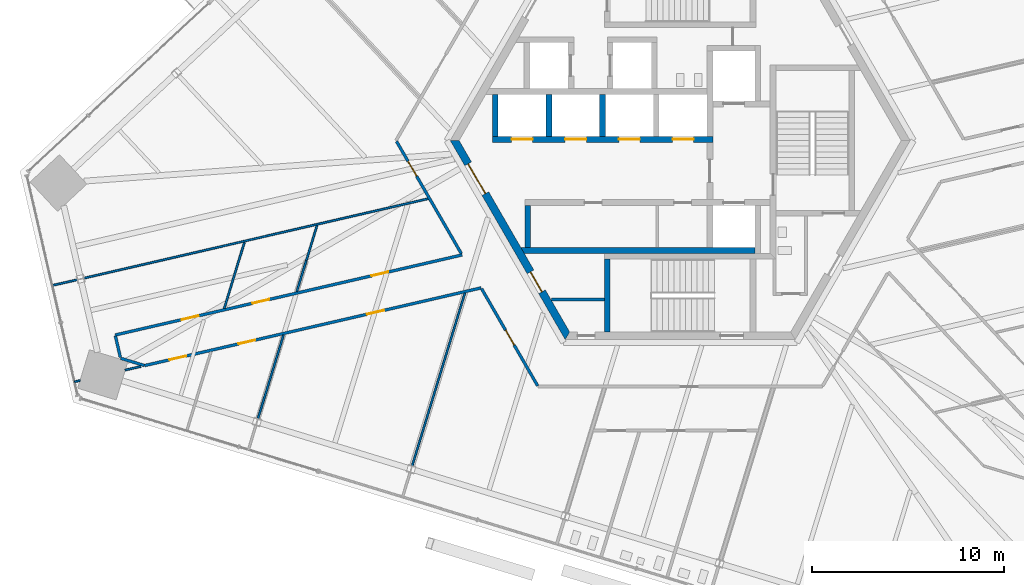
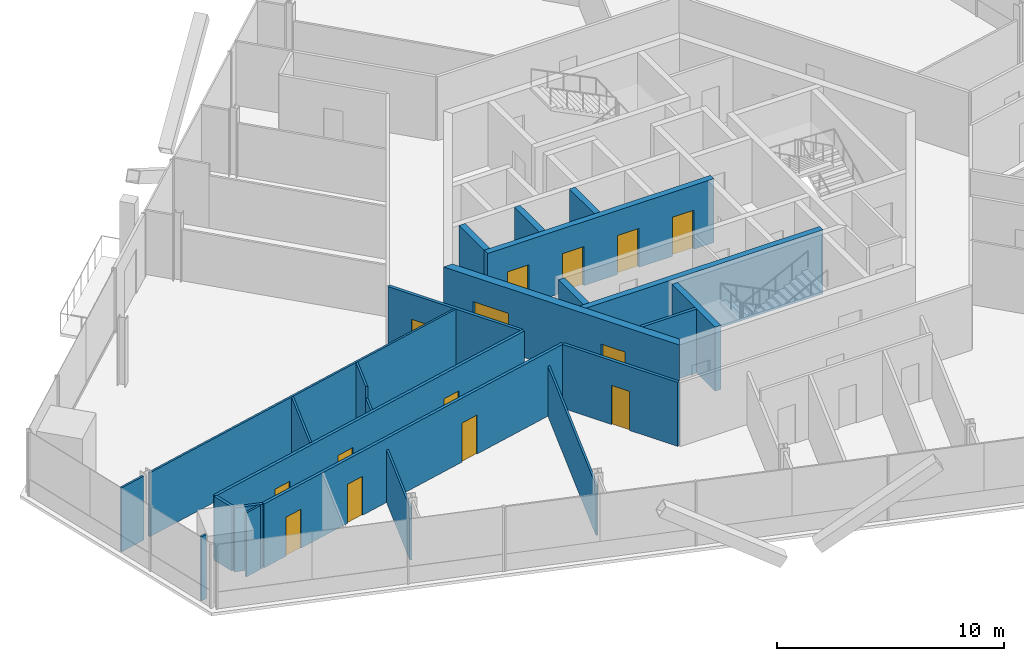
# One storey, part 12 of 20: 24 walls, 14 doors, 14 openings.
"""IFC4 building model written with IfcOpenShell, lengths in metres."""

from ifc_helpers import new_model, si_unit, direction, frame, frame_2d, origin, place, context, subcontext, project, spatial, polyline, rectangle, outline, extrude, source, transform, mapped, material, layer, layer_set, type_object, element, fill, save


model = new_model("IFC4")

# Units and contexts
model_context = context("Model", 3, precision=1e-05, world=origin(), true_north=direction((0.0, 1.0)))
body_context = subcontext(model_context, "Body", "Model", "MODEL_VIEW")
ifc_project = project(units=[si_unit("LENGTHUNIT", "METRE"), si_unit("AREAUNIT", "SQUARE_METRE"), si_unit("VOLUMEUNIT", "CUBIC_METRE"), si_unit("PLANEANGLEUNIT", "RADIAN"), si_unit("MASSUNIT", "GRAM", prefix="KILO")], contexts=[model_context])

# Site, building, storey
site_placement = place(None, origin())
site = spatial("IfcSite", under=ifc_project, at=site_placement, CompositionType="ELEMENT")
building_placement = place(site_placement, origin())
building = spatial("IfcBuilding", under=site, at=building_placement, Name="Triune Harvest Tower", CompositionType="ELEMENT")
storey_placement = place(building_placement, frame((0.0, 0.0, 116.300048828125)))
storey = spatial("IfcBuildingStorey", under=building, at=storey_placement, Name="L29", CompositionType="ELEMENT", Elevation=116.300048828125)

# Wall
ifc_material_1 = material(Name="Gypsum board on steel studs", Category="steel")
ifc_layer_1 = layer(ifc_material_1, 0.10009765625)
ifc_layer_set_1 = layer_set([ifc_layer_1], Name="Gypsum board on steel studs")
wall_type_1 = type_object("IfcWallType", Name="Partition 100 mm", PredefinedType="PARTITIONING", material=ifc_layer_set_1)
wall_1_placement = place(storey_placement, frame((-23.79443359375, -8.756103515625, 0.0), z_axis=(0.0, 0.0, 1.0), x_axis=(0.292413167963, 0.956292078395, 0.0)))
element("IfcWall", 1, at=wall_1_placement, inside=storey, type_object=wall_type_1, Name="Partition L29 063", PredefinedType="PARTITIONING", context=body_context, shape_type="SweptSolid", body=[
    extrude(rectangle(XDim=3.60107421875, YDim=0.10009765625, at=frame_2d((1.800537109375, 0.0))), origin(), (0.0, 0.0, 1.0), 3.43994140625),
])

# Wall, openings, doors
ifc_material_2 = material(Name="Concrete 70 MPa", Category="concrete")
ifc_layer_2 = layer(ifc_material_2, 0.39990234375)
ifc_layer_set_2 = layer_set([ifc_layer_2], Name="Concrete 70 MPa")
wall_type_2 = type_object("IfcWallType", Name="Core wall 400", PredefinedType="SHEAR", material=ifc_layer_set_2)
shared_shape_1 = source(origin(), body_context, "Body", "SweptSolid", [
    extrude(outline(polyline([(-0.115478515625, -0.199951171875), (11.884521484375, -0.199951171875), (11.653564453125, 0.199951171875), (0.115478515625, 0.199951171875), (-0.115478515625, -0.199951171875)])), origin(), (0.0, 0.0, 1.0), 3.43994140625),
])
wall_2_placement = place(storey_placement, frame((-11.76904296875, 0.0, 0.0), z_axis=(0.0, 0.0, 1.0), x_axis=(0.499996592174, -0.866027371285, 0.0)))
wall_2 = element("IfcWall", 2, at=wall_2_placement, inside=storey, type_object=wall_type_2, Name="Hexagon 3 wall", PredefinedType="SHEAR", context=body_context, shape_type="MappedRepresentation", body=[
    mapped(shared_shape_1, transform((0.0, 0.0, 0.0), scale=1.0)),
])
opening_1_placement = place(wall_2_placement, frame((1.404541015625, 0.0, 0.0)))
opening_1 = element("IfcOpeningElement", 3, at=opening_1_placement, cuts=wall_2, Name="Opening CD-LS", PredefinedType="OPENING", context=body_context, shape_type="SweptSolid", body=[
    extrude(rectangle(XDim=1.800048828125, YDim=2.10009765625, at=frame_2d((0.89990234375, 1.050048828125))), frame((0.0, 0.2099609375, 0.0), z_axis=(0.0, -1.0, 0.0), x_axis=(1.0, 0.0, 0.0)), (0.0, 0.0, 1.0), 0.419921875),
])
opening_2_placement = place(wall_2_placement, frame((7.91455078125, 0.0, 0.0)))
opening_2 = element("IfcOpeningElement", 4, at=opening_2_placement, cuts=wall_2, Name="Opening CD-SWP", PredefinedType="OPENING", context=body_context, shape_type="SweptSolid", body=[
    extrude(rectangle(XDim=1.199951171875, YDim=2.10009765625, at=frame_2d((0.60009765625, 1.050048828125))), frame((0.0, 0.2099609375, 0.0), z_axis=(0.0, -1.0, 0.0), x_axis=(1.0, 0.0, 0.0)), (0.0, 0.0, 1.0), 0.419921875),
])
ifc_material_3 = material(Name="Steel S235", Category="steel")
door_type_1 = type_object("IfcDoorType", Name="Lobby door 1800 FD120", OperationType="DOUBLE_DOOR_DOUBLE_SWING", PredefinedType="DOOR", material=ifc_material_3)
door_1_placement = place(opening_1_placement, frame((1.800048828125, 0.0, 0.0), z_axis=(0.0, 0.0, 1.0), x_axis=(-1.0, 0.0, 0.0)))
door_1 = element("IfcDoor", 5, at=door_1_placement, inside=storey, type_object=door_type_1, Name="Door CD-LS", OperationType="DOUBLE_DOOR_DOUBLE_SWING", OverallHeight=2.10009765625, OverallWidth=1.800048828125, PredefinedType="DOOR", context=body_context, shape_type="SweptSolid", body=[
    extrude(rectangle(XDim=1.800048828125, YDim=2.10009765625, at=frame_2d((0.89990234375, 1.050048828125))), frame((0.0, 0.02490234375, 0.0), z_axis=(0.0, -1.0, 0.0), x_axis=(1.0, 0.0, 0.0)), (0.0, 0.0, 1.0), 0.050048828125),
])
fill(opening_1, door_1)
ifc_material_4 = material(Name="Steel S235", Category="steel")
door_type_2 = type_object("IfcDoorType", Name="Service door 1200 FD120", OperationType="SINGLE_SWING_LEFT", PredefinedType="DOOR", material=ifc_material_4)
door_2_placement = place(opening_2_placement, frame((1.199951171875, 0.0, 0.0), z_axis=(0.0, 0.0, 1.0), x_axis=(-1.0, 0.0, 0.0)))
door_2 = element("IfcDoor", 6, at=door_2_placement, inside=storey, type_object=door_type_2, Name="Door CD-SWP", OperationType="SINGLE_SWING_RIGHT", OverallHeight=2.10009765625, OverallWidth=1.199951171875, PredefinedType="DOOR", context=body_context, shape_type="SweptSolid", body=[
    extrude(rectangle(XDim=1.199951171875, YDim=2.10009765625, at=frame_2d((0.60009765625, 1.050048828125))), frame((0.0, 0.02490234375, 0.0), z_axis=(0.0, -1.0, 0.0), x_axis=(1.0, 0.0, 0.0)), (0.0, 0.0, 1.0), 0.050048828125),
])
fill(opening_2, door_2)

ifc_material_5 = material(Name="Concrete 70 MPa", Category="concrete")
ifc_layer_3 = layer(ifc_material_5, 0.300048828125)
ifc_layer_set_3 = layer_set([ifc_layer_3], Name="Concrete 70 MPa")
wall_type_3 = type_object("IfcWallType", Name="Core wall 300", PredefinedType="SHEAR", material=ifc_layer_set_3)
shared_shape_2 = source(origin(), body_context, "Body", "SweptSolid", [
    extrude(rectangle(XDim=11.5, YDim=0.300048828125, at=frame_2d((5.75, 0.0))), origin(), (0.0, 0.0, 1.0), 3.43994140625),
])
wall_3_placement = place(storey_placement, frame((-9.800048828125, 0.06005859375, 0.0), z_axis=(0.0, 0.0, 1.0), x_axis=(1.0, 0.0, 0.0)))
wall_3 = element("IfcWall", 7, at=wall_3_placement, inside=storey, type_object=wall_type_3, Name="North front wall", PredefinedType="SHEAR", context=body_context, shape_type="MappedRepresentation", body=[
    mapped(shared_shape_2, transform((0.0, 0.0, 0.0), scale=1.0)),
])
opening_3_placement = place(wall_3_placement, frame((1.0, 0.0, 0.0)))
opening_3 = element("IfcOpeningElement", 8, at=opening_3_placement, cuts=wall_3, Name="Opening LD-LR1-29", PredefinedType="OPENING", context=body_context, shape_type="SweptSolid", body=[
    extrude(rectangle(XDim=1.10009765625, YDim=2.10009765625, at=frame_2d((0.550048828125, 1.050048828125))), frame((0.0, 0.16015625, 0.0), z_axis=(0.0, -1.0, 0.0), x_axis=(1.0, 0.0, 0.0)), (0.0, 0.0, 1.0), 0.320068359375),
])
opening_4_placement = place(wall_3_placement, frame((3.800048828125, 0.0, 0.0)))
opening_4 = element("IfcOpeningElement", 9, at=opening_4_placement, cuts=wall_3, Name="Opening LD-LR2-29", PredefinedType="OPENING", context=body_context, shape_type="SweptSolid", body=[
    extrude(rectangle(XDim=1.10009765625, YDim=2.10009765625, at=frame_2d((0.550048828125, 1.050048828125))), frame((0.0, 0.16015625, 0.0), z_axis=(0.0, -1.0, 0.0), x_axis=(1.0, 0.0, 0.0)), (0.0, 0.0, 1.0), 0.320068359375),
])
opening_5_placement = place(wall_3_placement, frame((6.60009765625, 0.0, 0.0)))
opening_5 = element("IfcOpeningElement", 10, at=opening_5_placement, cuts=wall_3, Name="Opening LD-LR3-29", PredefinedType="OPENING", context=body_context, shape_type="SweptSolid", body=[
    extrude(rectangle(XDim=1.10009765625, YDim=2.10009765625, at=frame_2d((0.550048828125, 1.050048828125))), frame((0.0, 0.16015625, 0.0), z_axis=(0.0, -1.0, 0.0), x_axis=(1.0, 0.0, 0.0)), (0.0, 0.0, 1.0), 0.320068359375),
])
opening_6_placement = place(wall_3_placement, frame((9.39990234375, 0.0, 0.0)))
opening_6 = element("IfcOpeningElement", 11, at=opening_6_placement, cuts=wall_3, Name="Opening LD-LR4-29", PredefinedType="OPENING", context=body_context, shape_type="SweptSolid", body=[
    extrude(rectangle(XDim=1.10009765625, YDim=2.10009765625, at=frame_2d((0.550048828125, 1.050048828125))), frame((0.0, 0.16015625, 0.0), z_axis=(0.0, -1.0, 0.0), x_axis=(1.0, 0.0, 0.0)), (0.0, 0.0, 1.0), 0.320068359375),
])
ifc_material_6 = material(Name="Stainless steel AISI 304", Category="steel")
door_type_3 = type_object("IfcDoorType", Name="Landing door 1100 x 2100", OperationType="DOUBLE_DOOR_SLIDING", PredefinedType="DOOR", material=ifc_material_6)
door_3_placement = place(opening_3_placement, origin())
door_3 = element("IfcDoor", 12, at=door_3_placement, inside=storey, type_object=door_type_3, Name="Door LD-LR1-29", OperationType="DOUBLE_DOOR_SLIDING", OverallHeight=2.10009765625, OverallWidth=1.10009765625, PredefinedType="DOOR", context=body_context, shape_type="SweptSolid", body=[
    extrude(rectangle(XDim=1.10009765625, YDim=2.10009765625, at=frame_2d((0.550048828125, 1.050048828125))), frame((0.0, 0.02490234375, 0.0), z_axis=(0.0, -1.0, 0.0), x_axis=(1.0, 0.0, 0.0)), (0.0, 0.0, 1.0), 0.050048828125),
])
fill(opening_3, door_3)
door_4_placement = place(opening_4_placement, origin())
door_4 = element("IfcDoor", 13, at=door_4_placement, inside=storey, type_object=door_type_3, Name="Door LD-LR2-29", OperationType="DOUBLE_DOOR_SLIDING", OverallHeight=2.10009765625, OverallWidth=1.10009765625, PredefinedType="DOOR", context=body_context, shape_type="SweptSolid", body=[
    extrude(rectangle(XDim=1.10009765625, YDim=2.10009765625, at=frame_2d((0.550048828125, 1.050048828125))), frame((0.0, 0.02490234375, 0.0), z_axis=(0.0, -1.0, 0.0), x_axis=(1.0, 0.0, 0.0)), (0.0, 0.0, 1.0), 0.050048828125),
])
fill(opening_4, door_4)
door_5_placement = place(opening_5_placement, origin())
door_5 = element("IfcDoor", 14, at=door_5_placement, inside=storey, type_object=door_type_3, Name="Door LD-LR3-29", OperationType="DOUBLE_DOOR_SLIDING", OverallHeight=2.10009765625, OverallWidth=1.10009765625, PredefinedType="DOOR", context=body_context, shape_type="SweptSolid", body=[
    extrude(rectangle(XDim=1.10009765625, YDim=2.10009765625, at=frame_2d((0.550048828125, 1.050048828125))), frame((0.0, 0.02490234375, 0.0), z_axis=(0.0, -1.0, 0.0), x_axis=(1.0, 0.0, 0.0)), (0.0, 0.0, 1.0), 0.050048828125),
])
fill(opening_5, door_5)
door_6_placement = place(opening_6_placement, origin())
door_6 = element("IfcDoor", 15, at=door_6_placement, inside=storey, type_object=door_type_3, Name="Door LD-LR4-29", OperationType="DOUBLE_DOOR_SLIDING", OverallHeight=2.10009765625, OverallWidth=1.10009765625, PredefinedType="DOOR", context=body_context, shape_type="SweptSolid", body=[
    extrude(rectangle(XDim=1.10009765625, YDim=2.10009765625, at=frame_2d((0.550048828125, 1.050048828125))), frame((0.0, 0.02490234375, 0.0), z_axis=(0.0, -1.0, 0.0), x_axis=(1.0, 0.0, 0.0)), (0.0, 0.0, 1.0), 0.050048828125),
])
fill(opening_6, door_6)

# Walls
shared_shape_3 = source(origin(), body_context, "Body", "SweptSolid", [
    extrude(outline(polyline([(12.0, -0.14990234375), (-0.039794921875, -0.14990234375), (-0.212890625, 0.14990234375), (12.0, 0.14990234375), (12.0, -0.14990234375)])), origin(), (0.0, 0.0, 1.0), 3.43994140625),
])
wall_4_placement = place(storey_placement, frame((-8.10009765625, -5.739990234375, 0.0), z_axis=(0.0, 0.0, 1.0), x_axis=(1.0, 0.0, 0.0)))
element("IfcWall", 16, at=wall_4_placement, inside=storey, type_object=wall_type_3, Name="South back wall", PredefinedType="SHEAR", context=body_context, shape_type="MappedRepresentation", body=[
    mapped(shared_shape_3, transform((0.0, 0.0, 0.0), scale=1.0)),
])
shared_shape_4 = source(origin(), body_context, "Body", "SweptSolid", [
    extrude(rectangle(XDim=2.2001953125, YDim=0.300048828125, at=frame_2d((1.10009765625, 0.0))), origin(), (0.0, 0.0, 1.0), 3.43994140625),
])
wall_5_placement = place(storey_placement, frame((-7.949951171875, -5.590087890625, 0.0), z_axis=(0.0, 0.0, 1.0), x_axis=(0.0, 1.0, 0.0)))
element("IfcWall", 17, at=wall_5_placement, inside=storey, type_object=wall_type_3, Name="South end west wall", PredefinedType="SHEAR", context=body_context, shape_type="MappedRepresentation", body=[
    mapped(shared_shape_4, transform((0.0, 0.0, 0.0), scale=1.0)),
])
shared_shape_5 = source(origin(), body_context, "Body", "SweptSolid", [
    extrude(rectangle(XDim=2.199951171875, YDim=0.300048828125, at=frame_2d((1.10009765625, 0.0))), origin(), (0.0, 0.0, 1.0), 3.43994140625),
])
for number, where, z_axis, x_axis, name in (
    (18, (-9.64990234375, 0.2099609375, 0.0), (0.0, 0.0, 1.0), (0.0, 1.0, 0.0), "North end west wall"),
    (19, (-6.85009765625, 0.2099609375, 0.0), (0.0, 0.0, 1.0), (0.0, 1.0, 0.0), "North cross 1 wall"),
    (20, (-4.050048828125, 0.2099609375, 0.0), (0.0, 0.0, 1.0), (0.0, 1.0, 0.0), "North cross 2 wall"),
):
    element("IfcWall", number, at=place(storey_placement, frame(where, z_axis=z_axis, x_axis=x_axis)), inside=storey, type_object=wall_type_3, Name=name, PredefinedType="SHEAR", context=body_context, shape_type="MappedRepresentation", body=[
        mapped(shared_shape_5, transform((0.0, 0.0, 0.0), scale=1.0)),
    ])
shared_shape_6 = source(origin(), body_context, "Body", "SweptSolid", [
    extrude(outline(polyline([(3.800048828125, -0.14990234375), (-0.00439453125, -0.14990234375), (-0.00439453125, 0.14990234375), (3.800048828125, 0.14990234375), (3.800048828125, -0.14990234375)])), origin(), (0.0, 0.0, 1.0), 3.43994140625),
])
wall_6_placement = place(storey_placement, frame((-3.800048828125, -9.989990234375, 0.0), z_axis=(0.0, 0.0, 1.0), x_axis=(0.0, 1.0, 0.0)))
element("IfcWall", 21, at=wall_6_placement, inside=storey, type_object=wall_type_3, Name="Stair s west wall", PredefinedType="SHEAR", context=body_context, shape_type="MappedRepresentation", body=[
    mapped(shared_shape_6, transform((0.0, 0.0, 0.0), scale=1.0)),
])
ifc_material_7 = material(Name="Concrete masonry unit", Category="masonry")
ifc_layer_4 = layer(ifc_material_7, 0.14990234375)
ifc_layer_set_4 = layer_set([ifc_layer_4], Name="Concrete masonry unit")
wall_type_4 = type_object("IfcWallType", Name="Block partition 150", PredefinedType="PARTITIONING", material=ifc_layer_set_4)
shared_shape_7 = source(origin(), body_context, "Body", "SweptSolid", [
    extrude(rectangle(XDim=2.777099609375, YDim=0.14990234375, at=frame_2d((1.388671875, 0.0))), origin(), (0.0, 0.0, 1.0), 3.43994140625),
])
wall_7_placement = place(storey_placement, frame((-6.72705078125, -8.300048828125, 0.0), z_axis=(0.0, 0.0, 1.0), x_axis=(1.0, 0.0, 0.0)))
element("IfcWall", 22, at=wall_7_placement, inside=storey, type_object=wall_type_4, Name="Sw part wall", PredefinedType="PARTITIONING", context=body_context, shape_type="MappedRepresentation", body=[
    mapped(shared_shape_7, transform((0.0, 0.0, 0.0), scale=1.0)),
])
shared_shape_8 = source(origin(), body_context, "Body", "SweptSolid", [
    extrude(rectangle(XDim=1.338134765625, YDim=0.10009765625, at=frame_2d((0.6689453125, 0.0))), origin(), (0.0, 0.0, 1.0), 3.43994140625),
])
wall_8_placement = place(storey_placement, frame((-32.770751953125, -7.565673828125, 0.0), z_axis=(0.0, 0.0, 1.0), x_axis=(0.974363511026, 0.224979439906, 0.0)))
element("IfcWall", 23, at=wall_8_placement, inside=storey, type_object=wall_type_1, Name="Partition L29 041", PredefinedType="PARTITIONING", context=body_context, shape_type="MappedRepresentation", body=[
    mapped(shared_shape_8, transform((0.0, 0.0, 0.0), scale=1.0)),
])
ifc_material_8 = material(Name="Gypsum board on steel studs", Category="steel")
ifc_layer_5 = layer(ifc_material_8, 0.14990234375)
ifc_layer_set_5 = layer_set([ifc_layer_5], Name="Gypsum board on steel studs")
wall_type_5 = type_object("IfcWallType", Name="Fire Partition 150 mm", PredefinedType="PARTITIONING", material=ifc_layer_set_5)
shared_shape_9 = source(origin(), body_context, "Body", "SweptSolid", [
    extrude(rectangle(XDim=1.144287109375, YDim=0.14990234375, at=frame_2d((0.572265625, 0.0))), origin(), (0.0, 0.0, 1.0), 3.43994140625),
])
wall_9_placement = place(storey_placement, frame((-29.475341796875, -10.19921875, 0.0), z_axis=(0.0, 0.0, 1.0), x_axis=(0.225077639039, -0.974340831745, 0.0)))
element("IfcWall", 24, at=wall_9_placement, inside=storey, type_object=wall_type_5, Name="Partition L29 001", PredefinedType="PARTITIONING", context=body_context, shape_type="MappedRepresentation", body=[
    mapped(shared_shape_9, transform((0.0, 0.0, 0.0), scale=1.0)),
])
shared_shape_10 = source(origin(), body_context, "Body", "SweptSolid", [
    extrude(rectangle(XDim=1.291259765625, YDim=0.14990234375, at=frame_2d((0.6455078125, 0.0))), origin(), (0.0, 0.0, 1.0), 3.43994140625),
])
wall_10_placement = place(storey_placement, frame((-29.20654296875, -11.36279296875, 0.0), z_axis=(0.0, 0.0, 1.0), x_axis=(0.956272282216, -0.292477900472, 0.0)))
element("IfcWall", 25, at=wall_10_placement, inside=storey, type_object=wall_type_5, Name="Partition L29 023", PredefinedType="PARTITIONING", context=body_context, shape_type="MappedRepresentation", body=[
    mapped(shared_shape_10, transform((0.0, 0.0, 0.0), scale=1.0)),
])

# Wall, opening, door
shared_shape_11 = source(origin(), body_context, "Body", "SweptSolid", [
    extrude(rectangle(XDim=6.764404296875, YDim=0.14990234375, at=frame_2d((3.38232421875, 0.0))), origin(), (0.0, 0.0, 1.0), 3.43994140625),
])
wall_11_placement = place(storey_placement, frame((-14.80419921875, -0.043212890625, 0.0), z_axis=(0.0, 0.0, 1.0), x_axis=(0.50001300079, -0.866017897644, 0.0)))
wall_11 = element("IfcWall", 26, at=wall_11_placement, inside=storey, type_object=wall_type_5, Name="Partition L29 004", PredefinedType="PARTITIONING", context=body_context, shape_type="MappedRepresentation", body=[
    mapped(shared_shape_11, transform((0.0, 0.0, 0.0), scale=1.0)),
])
opening_7_placement = place(wall_11_placement, frame((1.2001953125, 0.0, 0.0)))
opening_7 = element("IfcOpeningElement", 27, at=opening_7_placement, cuts=wall_11, Name="Opening L29-014", PredefinedType="OPENING", context=body_context, shape_type="SweptSolid", body=[
    extrude(rectangle(XDim=0.89990234375, YDim=2.10009765625, at=frame_2d((0.449951171875, 1.050048828125))), frame((0.0, 0.0849609375, 0.0), z_axis=(0.0, -1.0, 0.0), x_axis=(1.0, 0.0, 0.0)), (0.0, 0.0, 1.0), 0.169921875),
])
ifc_material_9 = material(Name="Timber and steel door set", Category="steel")
door_type_4 = type_object("IfcDoorType", Name="Single leaf door FD30 right hand 900 x 2100", OperationType="SINGLE_SWING_RIGHT", PredefinedType="DOOR", material=ifc_material_9)
door_7_placement = place(opening_7_placement, origin())
door_7 = element("IfcDoor", 28, at=door_7_placement, inside=storey, type_object=door_type_4, Name="Door L29-014 Phone room 29.14", OperationType="SINGLE_SWING_RIGHT", OverallHeight=2.10009765625, OverallWidth=0.89990234375, PredefinedType="DOOR", context=body_context, shape_type="SweptSolid", body=[
    extrude(rectangle(XDim=0.89990234375, YDim=2.10009765625, at=frame_2d((0.449951171875, 1.050048828125))), frame((0.0, 0.02490234375, 0.0), z_axis=(0.0, -1.0, 0.0), x_axis=(1.0, 0.0, 0.0)), (0.0, 0.0, 1.0), 0.050048828125),
])
fill(opening_7, door_7)

shared_shape_12 = source(origin(), body_context, "Body", "SweptSolid", [
    extrude(rectangle(XDim=5.85791015625, YDim=0.14990234375, at=frame_2d((2.928955078125, 0.0))), origin(), (0.0, 0.0, 1.0), 3.43994140625),
])
wall_12_placement = place(storey_placement, frame((-10.363525390625, -7.734619140625, 0.0), z_axis=(0.0, 0.0, 1.0), x_axis=(0.500007463099, -0.866021094919, 0.0)))
wall_12 = element("IfcWall", 29, at=wall_12_placement, inside=storey, type_object=wall_type_5, Name="Partition L29 005", PredefinedType="PARTITIONING", context=body_context, shape_type="MappedRepresentation", body=[
    mapped(shared_shape_12, transform((0.0, 0.0, 0.0), scale=1.0)),
])
opening_8_placement = place(wall_12_placement, frame((2.5, 0.0, 0.0)))
opening_8 = element("IfcOpeningElement", 30, at=opening_8_placement, cuts=wall_12, Name="Opening L29-021", PredefinedType="OPENING", context=body_context, shape_type="SweptSolid", body=[
    extrude(rectangle(XDim=0.89990234375, YDim=2.10009765625, at=frame_2d((0.449951171875, 1.050048828125))), frame((0.0, 0.0849609375, 0.0), z_axis=(0.0, -1.0, 0.0), x_axis=(1.0, 0.0, 0.0)), (0.0, 0.0, 1.0), 0.169921875),
])
ifc_material_10 = material(Name="Timber and steel door set", Category="steel")
door_type_5 = type_object("IfcDoorType", Name="Single leaf door FD30 left hand 900 x 2100", OperationType="SINGLE_SWING_LEFT", PredefinedType="DOOR", material=ifc_material_10)
door_8_placement = place(opening_8_placement, origin())
door_8 = element("IfcDoor", 31, at=door_8_placement, inside=storey, type_object=door_type_5, Name="Door L29-021 Project Room 29.21", OperationType="SINGLE_SWING_LEFT", OverallHeight=2.10009765625, OverallWidth=0.89990234375, PredefinedType="DOOR", context=body_context, shape_type="SweptSolid", body=[
    extrude(rectangle(XDim=0.89990234375, YDim=2.10009765625, at=frame_2d((0.449951171875, 1.050048828125))), frame((0.0, 0.02490234375, 0.0), z_axis=(0.0, -1.0, 0.0), x_axis=(1.0, 0.0, 0.0)), (0.0, 0.0, 1.0), 0.050048828125),
])
fill(opening_8, door_8)

# Wall, openings, doors
shared_shape_13 = source(origin(), body_context, "Body", "SweptSolid", [
    extrude(rectangle(XDim=18.5810546875, YDim=0.14990234375, at=frame_2d((9.29052734375, 0.0))), origin(), (0.0, 0.0, 1.0), 3.43994140625),
])
wall_13_placement = place(storey_placement, frame((-29.486572265625, -10.150390625, 0.0), z_axis=(0.0, 0.0, 1.0), x_axis=(0.974371482993, 0.224944911321, 0.0)))
wall_13 = element("IfcWall", 32, at=wall_13_placement, inside=storey, type_object=wall_type_5, Name="Partition L29 038", PredefinedType="PARTITIONING", context=body_context, shape_type="MappedRepresentation", body=[
    mapped(shared_shape_13, transform((0.0, 0.0, 0.0), scale=1.0)),
])
opening_9_placement = place(wall_13_placement, frame((3.564697265625, 0.0, 0.0)))
opening_9 = element("IfcOpeningElement", 33, at=opening_9_placement, cuts=wall_13, Name="Opening L29-015", PredefinedType="OPENING", context=body_context, shape_type="SweptSolid", body=[
    extrude(rectangle(XDim=0.89990234375, YDim=2.10009765625, at=frame_2d((0.449951171875, 1.050048828125))), frame((0.0, 0.0849609375, 0.0), z_axis=(0.0, -1.0, 0.0), x_axis=(1.0, 0.0, 0.0)), (0.0, 0.0, 1.0), 0.169921875),
])
opening_10_placement = place(wall_13_placement, frame((7.351318359375, 0.0, 0.0)))
opening_10 = element("IfcOpeningElement", 34, at=opening_10_placement, cuts=wall_13, Name="Opening L29-018", PredefinedType="OPENING", context=body_context, shape_type="SweptSolid", body=[
    extrude(rectangle(XDim=0.89990234375, YDim=2.10009765625, at=frame_2d((0.449951171875, 1.050048828125))), frame((0.0, 0.0849609375, 0.0), z_axis=(0.0, -1.0, 0.0), x_axis=(1.0, 0.0, 0.0)), (0.0, 0.0, 1.0), 0.169921875),
])
opening_11_placement = place(wall_13_placement, frame((13.730712890625, 0.0, 0.0)))
opening_11 = element("IfcOpeningElement", 35, at=opening_11_placement, cuts=wall_13, Name="Opening L29-020", PredefinedType="OPENING", context=body_context, shape_type="SweptSolid", body=[
    extrude(rectangle(XDim=0.89990234375, YDim=2.10009765625, at=frame_2d((0.449951171875, 1.050048828125))), frame((0.0, 0.0849609375, 0.0), z_axis=(0.0, -1.0, 0.0), x_axis=(1.0, 0.0, 0.0)), (0.0, 0.0, 1.0), 0.169921875),
])
door_9_placement = place(opening_9_placement, origin())
door_9 = element("IfcDoor", 36, at=door_9_placement, inside=storey, type_object=door_type_5, Name="Door L29-015 Reception 29.15", OperationType="SINGLE_SWING_LEFT", OverallHeight=2.10009765625, OverallWidth=0.89990234375, PredefinedType="DOOR", context=body_context, shape_type="SweptSolid", body=[
    extrude(rectangle(XDim=0.89990234375, YDim=2.10009765625, at=frame_2d((0.449951171875, 1.050048828125))), frame((0.0, 0.02490234375, 0.0), z_axis=(0.0, -1.0, 0.0), x_axis=(1.0, 0.0, 0.0)), (0.0, 0.0, 1.0), 0.050048828125),
])
fill(opening_9, door_9)
door_10_placement = place(opening_10_placement, origin())
door_10 = element("IfcDoor", 37, at=door_10_placement, inside=storey, type_object=door_type_5, Name="Door L29-018 Office 29.18", OperationType="SINGLE_SWING_LEFT", OverallHeight=2.10009765625, OverallWidth=0.89990234375, PredefinedType="DOOR", context=body_context, shape_type="SweptSolid", body=[
    extrude(rectangle(XDim=0.89990234375, YDim=2.10009765625, at=frame_2d((0.449951171875, 1.050048828125))), frame((0.0, 0.02490234375, 0.0), z_axis=(0.0, -1.0, 0.0), x_axis=(1.0, 0.0, 0.0)), (0.0, 0.0, 1.0), 0.050048828125),
])
fill(opening_10, door_10)
door_11_placement = place(opening_11_placement, origin())
door_11 = element("IfcDoor", 38, at=door_11_placement, inside=storey, type_object=door_type_4, Name="Door L29-020 Open Office 29.20", OperationType="SINGLE_SWING_RIGHT", OverallHeight=2.10009765625, OverallWidth=0.89990234375, PredefinedType="DOOR", context=body_context, shape_type="SweptSolid", body=[
    extrude(rectangle(XDim=0.89990234375, YDim=2.10009765625, at=frame_2d((0.449951171875, 1.050048828125))), frame((0.0, 0.02490234375, 0.0), z_axis=(0.0, -1.0, 0.0), x_axis=(1.0, 0.0, 0.0)), (0.0, 0.0, 1.0), 0.050048828125),
])
fill(opening_11, door_11)

# Walls
shared_shape_14 = source(origin(), body_context, "Body", "SweptSolid", [
    extrude(rectangle(XDim=9.421875, YDim=0.10009765625, at=frame_2d((4.7109375, 0.0))), origin(), (0.0, 0.0, 1.0), 2.682861328125),
])
wall_14_placement = place(storey_placement, frame((-13.9892578125, -16.976806640625, 0.0), z_axis=(0.0, 0.0, 1.0), x_axis=(0.292364677852, 0.956306904265, 0.0)))
element("IfcWall", 39, at=wall_14_placement, inside=storey, type_object=wall_type_1, Name="Partition L29 058", PredefinedType="PARTITIONING", context=body_context, shape_type="MappedRepresentation", body=[
    mapped(shared_shape_14, transform((0.0, 0.0, 0.0), scale=1.0)),
])
shared_shape_15 = source(origin(), body_context, "Body", "SweptSolid", [
    extrude(rectangle(XDim=0.8466796875, YDim=0.10009765625, at=frame_2d((0.42333984375, 0.0))), origin(), (0.0, 0.0, 1.0), 3.43994140625),
])
wall_15_placement = place(storey_placement, frame((-28.972412109375, -11.981689453125, 0.0), z_axis=(0.0, 0.0, 1.0), x_axis=(0.974376613524, 0.224922686756, 0.0)))
element("IfcWall", 40, at=wall_15_placement, inside=storey, type_object=wall_type_1, Name="Partition L29 035", PredefinedType="PARTITIONING", context=body_context, shape_type="MappedRepresentation", body=[
    mapped(shared_shape_15, transform((0.0, 0.0, 0.0), scale=1.0)),
])

# Wall, openings, doors
shared_shape_16 = source(origin(), body_context, "Body", "SweptSolid", [
    extrude(rectangle(XDim=18.0263671875, YDim=0.14990234375, at=frame_2d((9.01318359375, 0.0))), origin(), (0.0, 0.0, 1.0), 3.43994140625),
])
wall_16_placement = place(storey_placement, frame((-27.95263671875, -11.74609375, 0.0), z_axis=(0.0, 0.0, 1.0), x_axis=(0.974374758263, 0.224930723691, 0.0)))
wall_16 = element("IfcWall", 41, at=wall_16_placement, inside=storey, type_object=wall_type_5, Name="Partition L29 036", PredefinedType="PARTITIONING", context=body_context, shape_type="MappedRepresentation", body=[
    mapped(shared_shape_16, transform((0.0, 0.0, 0.0), scale=1.0)),
])
opening_12_placement = place(wall_16_placement, frame((1.329833984375, 0.0, 0.0)))
opening_12 = element("IfcOpeningElement", 42, at=opening_12_placement, cuts=wall_16, Name="Opening L29-016", PredefinedType="OPENING", context=body_context, shape_type="SweptSolid", body=[
    extrude(rectangle(XDim=0.89990234375, YDim=2.10009765625, at=frame_2d((0.449951171875, 1.050048828125))), frame((0.0, 0.0849609375, 0.0), z_axis=(0.0, -1.0, 0.0), x_axis=(1.0, 0.0, 0.0)), (0.0, 0.0, 1.0), 0.169921875),
])
opening_13_placement = place(wall_16_placement, frame((5.0322265625, 0.0, 0.0)))
opening_13 = element("IfcOpeningElement", 43, at=opening_13_placement, cuts=wall_16, Name="Opening L29-017", PredefinedType="OPENING", context=body_context, shape_type="SweptSolid", body=[
    extrude(rectangle(XDim=0.89990234375, YDim=2.10009765625, at=frame_2d((0.449951171875, 1.050048828125))), frame((0.0, 0.0849609375, 0.0), z_axis=(0.0, -1.0, 0.0), x_axis=(1.0, 0.0, 0.0)), (0.0, 0.0, 1.0), 0.169921875),
])
opening_14_placement = place(wall_16_placement, frame((11.918701171875, 0.0, 0.0)))
opening_14 = element("IfcOpeningElement", 44, at=opening_14_placement, cuts=wall_16, Name="Opening L29-019", PredefinedType="OPENING", context=body_context, shape_type="SweptSolid", body=[
    extrude(rectangle(XDim=0.89990234375, YDim=2.10009765625, at=frame_2d((0.449951171875, 1.050048828125))), frame((0.0, 0.0849609375, 0.0), z_axis=(0.0, -1.0, 0.0), x_axis=(1.0, 0.0, 0.0)), (0.0, 0.0, 1.0), 0.169921875),
])
door_12_placement = place(opening_14_placement, origin())
door_12 = element("IfcDoor", 45, at=door_12_placement, inside=storey, type_object=door_type_5, Name="Door L29-019 Open Office 29.19", OperationType="SINGLE_SWING_LEFT", OverallHeight=2.10009765625, OverallWidth=0.89990234375, PredefinedType="DOOR", context=body_context, shape_type="SweptSolid", body=[
    extrude(rectangle(XDim=0.89990234375, YDim=2.10009765625, at=frame_2d((0.449951171875, 1.050048828125))), frame((0.0, 0.02490234375, 0.0), z_axis=(0.0, -1.0, 0.0), x_axis=(1.0, 0.0, 0.0)), (0.0, 0.0, 1.0), 0.050048828125),
])
fill(opening_14, door_12)
door_13_placement = place(opening_12_placement, origin())
door_13 = element("IfcDoor", 46, at=door_13_placement, inside=storey, type_object=door_type_4, Name="Door L29-016 Office 29.16", OperationType="SINGLE_SWING_RIGHT", OverallHeight=2.10009765625, OverallWidth=0.89990234375, PredefinedType="DOOR", context=body_context, shape_type="SweptSolid", body=[
    extrude(rectangle(XDim=0.89990234375, YDim=2.10009765625, at=frame_2d((0.449951171875, 1.050048828125))), frame((0.0, 0.02490234375, 0.0), z_axis=(0.0, -1.0, 0.0), x_axis=(1.0, 0.0, 0.0)), (0.0, 0.0, 1.0), 0.050048828125),
])
fill(opening_12, door_13)
door_14_placement = place(opening_13_placement, origin())
door_14 = element("IfcDoor", 47, at=door_14_placement, inside=storey, type_object=door_type_4, Name="Door L29-017 Office 29.17", OperationType="SINGLE_SWING_RIGHT", OverallHeight=2.10009765625, OverallWidth=0.89990234375, PredefinedType="DOOR", context=body_context, shape_type="SweptSolid", body=[
    extrude(rectangle(XDim=0.89990234375, YDim=2.10009765625, at=frame_2d((0.449951171875, 1.050048828125))), frame((0.0, 0.02490234375, 0.0), z_axis=(0.0, -1.0, 0.0), x_axis=(1.0, 0.0, 0.0)), (0.0, 0.0, 1.0), 0.050048828125),
])
fill(opening_13, door_14)

# Walls
shared_shape_17 = source(origin(), body_context, "Body", "SweptSolid", [
    extrude(rectangle(XDim=18.504638671875, YDim=0.10009765625, at=frame_2d((9.25244140625, 0.0))), origin(), (0.0, 0.0, 1.0), 3.43994140625),
])
wall_17_placement = place(storey_placement, frame((-31.115234375, -7.18359375, 0.0), z_axis=(0.0, 0.0, 1.0), x_axis=(0.974370289339, 0.224950081693, 0.0)))
element("IfcWall", 48, at=wall_17_placement, inside=storey, type_object=wall_type_1, Name="Partition L29 042", PredefinedType="PARTITIONING", context=body_context, shape_type="MappedRepresentation", body=[
    mapped(shared_shape_17, transform((0.0, 0.0, 0.0), scale=1.0)),
])
shared_shape_18 = source(origin(), body_context, "Body", "SweptSolid", [
    extrude(rectangle(XDim=4.563720703125, YDim=0.10009765625, at=frame_2d((2.28173828125, 0.0))), origin(), (0.0, 0.0, 1.0), 2.82763671875),
])
wall_18_placement = place(storey_placement, frame((-22.035888671875, -14.5166015625, 0.0), z_axis=(0.0, 0.0, 1.0), x_axis=(0.292359881687, 0.956308370548, 0.0)))
element("IfcWall", 49, at=wall_18_placement, inside=storey, type_object=wall_type_1, Name="Partition L29 060", PredefinedType="PARTITIONING", context=body_context, shape_type="MappedRepresentation", body=[
    mapped(shared_shape_18, transform((0.0, 0.0, 0.0), scale=1.0)),
])
shared_shape_19 = source(origin(), body_context, "Body", "SweptSolid", [
    extrude(rectangle(XDim=1.6796875, YDim=0.10009765625, at=frame_2d((0.83984375, 0.0))), origin(), (0.0, 0.0, 1.0), 2.82763671875),
])
wall_19_placement = place(storey_placement, frame((-20.007568359375, -7.882080078125, 0.0), z_axis=(0.0, 0.0, 1.0), x_axis=(0.292277614447, 0.956333517186, 0.0)))
element("IfcWall", 50, at=wall_19_placement, inside=storey, type_object=wall_type_1, Name="Partition L29 061", PredefinedType="PARTITIONING", context=body_context, shape_type="MappedRepresentation", body=[
    mapped(shared_shape_19, transform((0.0, 0.0, 0.0), scale=1.0)),
])
shared_shape_20 = source(origin(), body_context, "Body", "SweptSolid", [
    extrude(rectangle(XDim=1.921630859375, YDim=0.10009765625, at=frame_2d((0.9609375, 0.0))), origin(), (0.0, 0.0, 1.0), 3.43994140625),
])
wall_20_placement = place(storey_placement, frame((-19.5166015625, -6.275634765625, 0.0), z_axis=(0.0, 0.0, 1.0), x_axis=(0.292344418491, 0.956313097776, 0.0)))
element("IfcWall", 51, at=wall_20_placement, inside=storey, type_object=wall_type_1, Name="Partition L29 061a", PredefinedType="PARTITIONING", context=body_context, shape_type="MappedRepresentation", body=[
    mapped(shared_shape_20, transform((0.0, 0.0, 0.0), scale=1.0)),
])
shared_shape_21 = source(origin(), body_context, "Body", "SweptSolid", [
    extrude(rectangle(XDim=0.3056640625, YDim=0.10009765625, at=frame_2d((0.15283203125, 0.0))), origin(), (0.0, 0.0, 1.0), 3.43994140625),
])
wall_21_placement = place(storey_placement, frame((-31.610595703125, -12.5908203125, 0.0), z_axis=(0.0, 0.0, 1.0), x_axis=(0.974310374025, 0.225209447111, 0.0)))
element("IfcWall", 52, at=wall_21_placement, inside=storey, type_object=wall_type_1, Name="Partition L29 034", PredefinedType="PARTITIONING", context=body_context, shape_type="MappedRepresentation", body=[
    mapped(shared_shape_21, transform((0.0, 0.0, 0.0), scale=1.0)),
])

save(model, "model.ifc")
